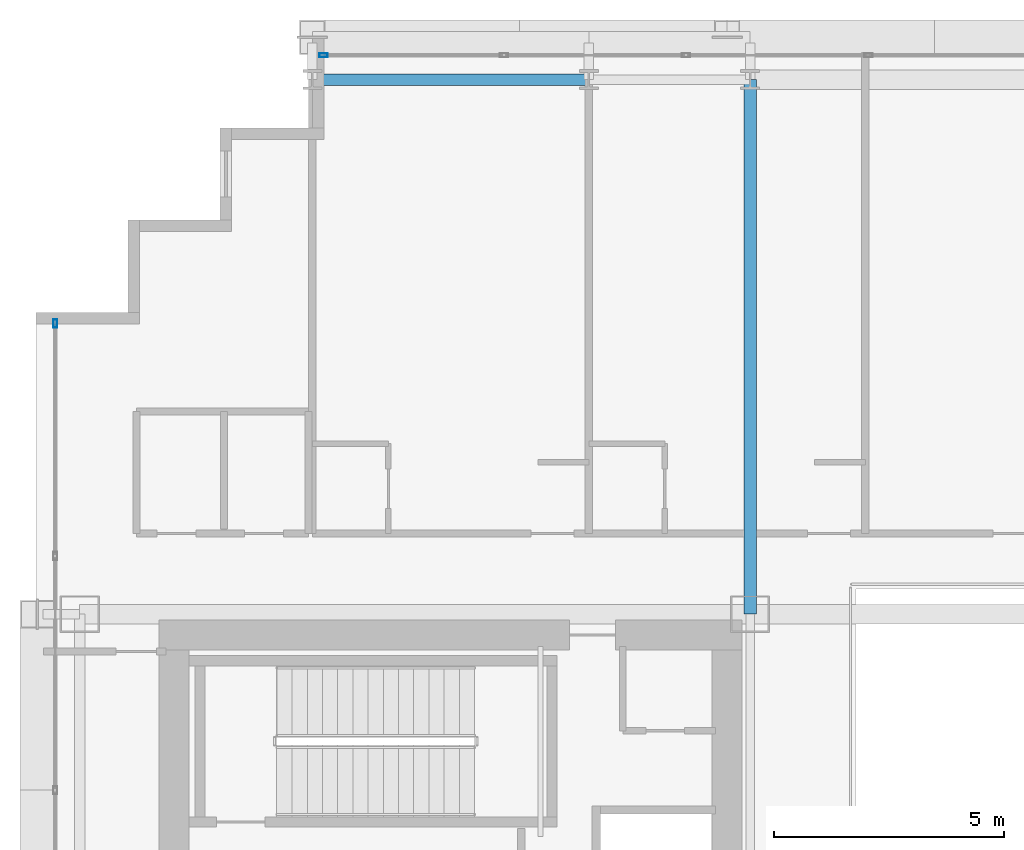
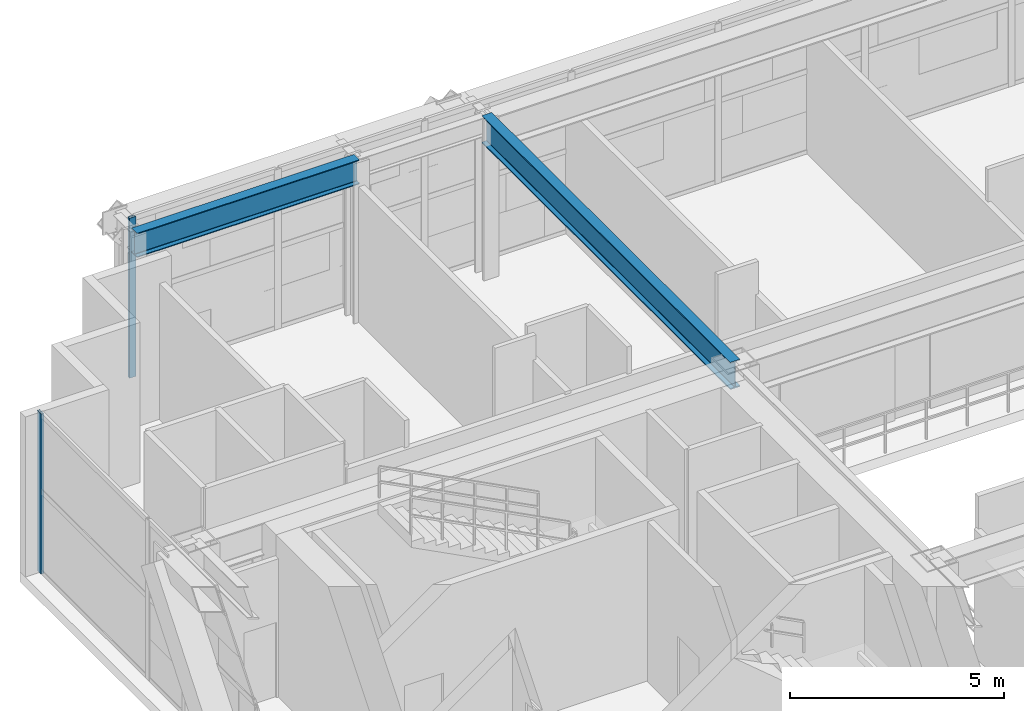
# One storey, part 18 of 38: 2 beams, 2 members, 2 elements without a shape of their own.
"""IFC4 building model written with IfcOpenShell, lengths in metres."""

from ifc_helpers import new_model, si_unit, direction, frame, origin, origin_2d, place, context, subcontext, project, spatial, hollow_rectangle, i_section, extrude, source, transform, mapped, material, layer, layer_set, material_profile, profile_set, type_object, element, aggregate, save


model = new_model("IFC4")

# Units and contexts
model_context = context("Model", 3, precision=1e-05, world=origin(), true_north=direction((0.0, 1.0)))
body_context = subcontext(model_context, "Body", "Model", "MODEL_VIEW")
ifc_project = project(units=[si_unit("LENGTHUNIT", "METRE"), si_unit("AREAUNIT", "SQUARE_METRE"), si_unit("VOLUMEUNIT", "CUBIC_METRE"), si_unit("PLANEANGLEUNIT", "RADIAN"), si_unit("MASSUNIT", "GRAM", prefix="KILO")], contexts=[model_context])

# Site, building, storey
site_placement = place(None, origin())
site = spatial("IfcSite", under=ifc_project, at=site_placement, CompositionType="ELEMENT")
building_placement = place(site_placement, origin())
building = spatial("IfcBuilding", under=site, at=building_placement, Name="Ocotamira Hotel", CompositionType="ELEMENT")
storey_placement = place(building_placement, frame((0.0, 0.0, 92.39990234375)))
storey = spatial("IfcBuildingStorey", under=building, at=storey_placement, Name="L22", CompositionType="ELEMENT", Elevation=92.39990234375)

# Beams
ifc_material_1 = material(Name="Steel ASTM A992 Grade 50", Category="steel")
ifc_material_profile_1 = material_profile(ifc_material_1, i_section(OverallWidth=0.256103515625, OverallDepth=0.693115234375, WebThickness=0.014404296875, FlangeThickness=0.023681640625, FilletRadius=0.01611328125, at=origin_2d()), Name="W27X114")
ifc_profile_set_1 = profile_set([ifc_material_profile_1], Name="Steel ASTM A992 Grade 50")
beam_type_1 = type_object("IfcBeamType", Name="BM-PRIM-W27X114", PredefinedType="BEAM", material=ifc_profile_set_1)
shared_shape_1 = source(origin(), body_context, "Body", "SweptSolid", [
    extrude(i_section(OverallWidth=0.256103515625, OverallDepth=0.693115234375, WebThickness=0.014404296875, FlangeThickness=0.023681640625, FilletRadius=0.01611328125, at=origin_2d()), origin(), (0.0, 0.0, 1.0), 6.0),
])
beam_1_placement = place(storey_placement, frame((14.0, 49.050048828125, 4.213623046875), z_axis=(1.0, 0.0, 0.0), x_axis=(0.0, 1.0, 0.0)))
element("IfcBeam", 1, at=beam_1_placement, inside=storey, type_object=beam_type_1, Name="L22 Girder Y49.05 X14-20", PredefinedType="BEAM", context=body_context, shape_type="MappedRepresentation", body=[
    mapped(shared_shape_1, transform((0.0, 0.0, 0.0), scale=1.0)),
])
ifc_material_profile_2 = material_profile(ifc_material_1, i_section(OverallWidth=0.26611328125, OverallDepth=0.779052734375, WebThickness=0.0166015625, FlangeThickness=0.030029296875, FilletRadius=0.01806640625, at=origin_2d()), Name="W30X148")
ifc_profile_set_2 = profile_set([ifc_material_profile_2], Name="Steel ASTM A992 Grade 50")
beam_type_2 = type_object("IfcBeamType", Name="BM-GIRD-W30X148", PredefinedType="BEAM", material=ifc_profile_set_2)
shared_shape_2 = source(origin(), body_context, "Body", "SweptSolid", [
    extrude(i_section(OverallWidth=0.26611328125, OverallDepth=0.779052734375, WebThickness=0.0166015625, FlangeThickness=0.030029296875, FilletRadius=0.01806640625, at=origin_2d()), origin(), (0.0, 0.0, 1.0), 11.60009765625),
])
beam_2_placement = place(storey_placement, frame((23.5, 37.449951171875, 4.170654296875), z_axis=(0.0, 1.0, 0.0), x_axis=(-1.0, 0.0, 0.0)))
element("IfcBeam", 2, at=beam_2_placement, inside=storey, type_object=beam_type_2, Name="L22 Beam X23.5 Y37.45-49.05", PredefinedType="BEAM", context=body_context, shape_type="MappedRepresentation", body=[
    mapped(shared_shape_2, transform((0.0, 0.0, 0.0), scale=1.0)),
])

# Curtain wall, member
ifc_material_2 = material(Name="Anodised pale-metal aluminium and solar glass", Category="aluminium")
ifc_layer = layer(ifc_material_2, 0.239990234375)
ifc_layer_set = layer_set([ifc_layer], Name="Anodised pale-metal aluminium and solar glass")
curtain_wall_type = type_object("IfcCurtainWallType", Name="CW-SYS5-SKY", PredefinedType="NOTDEFINED", material=ifc_layer_set)
curtain_wall_1_placement = place(storey_placement, origin())
curtain_wall_1 = element("IfcCurtainWall", 3, at=curtain_wall_1_placement, inside=storey, type_object=curtain_wall_type, Name="L22 Curtain Wall CW-5 CW-L22-N", PredefinedType="NOTDEFINED")
ifc_material_3 = material(Name="Anodised pale-metal aluminium 6063-T6", Category="aluminium")
ifc_material_profile_3 = material_profile(ifc_material_3, hollow_rectangle(XDim=0.080078125, YDim=0.179931640625, WallThickness=0.006103515625, at=origin_2d()), Name="HSS180X80X6")
ifc_profile_set_3 = profile_set([ifc_material_profile_3], Name="Anodised pale-metal aluminium 6063-T6")
member_type = type_object("IfcMemberType", Name="CWM-180X75", PredefinedType="MULLION", material=ifc_profile_set_3)
shared_shape_3 = source(origin(), body_context, "Body", "SweptSolid", [
    extrude(hollow_rectangle(XDim=0.080078125, YDim=0.179931640625, WallThickness=0.006103515625, at=origin_2d()), origin(), (0.0, 0.0, 1.0), 4.56005859375),
])
member_1_placement = place(storey_placement, frame((14.239990234375, 49.580078125, 0.0), z_axis=(0.0, 0.0, 1.0), x_axis=(0.0, 1.0, 0.0)))
member_1 = element("IfcMember", 4, at=member_1_placement, type_object=member_type, Name="CW-5 mullion 1", PredefinedType="MULLION", context=body_context, shape_type="MappedRepresentation", body=[
    mapped(shared_shape_3, transform((0.0, 0.0, 0.0), scale=1.0)),
])
aggregate(curtain_wall_1, [member_1])

curtain_wall_2_placement = place(storey_placement, origin())
curtain_wall_2 = element("IfcCurtainWall", 5, at=curtain_wall_2_placement, inside=storey, type_object=curtain_wall_type, Name="L22 Curtain Wall CW-5 CW-L22-W", PredefinedType="NOTDEFINED")
member_2_placement = place(storey_placement, frame((8.419921875, 43.760009765625, 0.0), z_axis=(0.0, 0.0, 1.0), x_axis=(-1.0, 0.0, 0.0)))
member_2 = element("IfcMember", 6, at=member_2_placement, type_object=member_type, Name="CW-5 mullion 8", PredefinedType="MULLION", context=body_context, shape_type="MappedRepresentation", body=[
    mapped(shared_shape_3, transform((0.0, 0.0, 0.0), scale=1.0)),
])
aggregate(curtain_wall_2, [member_2])

save(model, "model.ifc")
